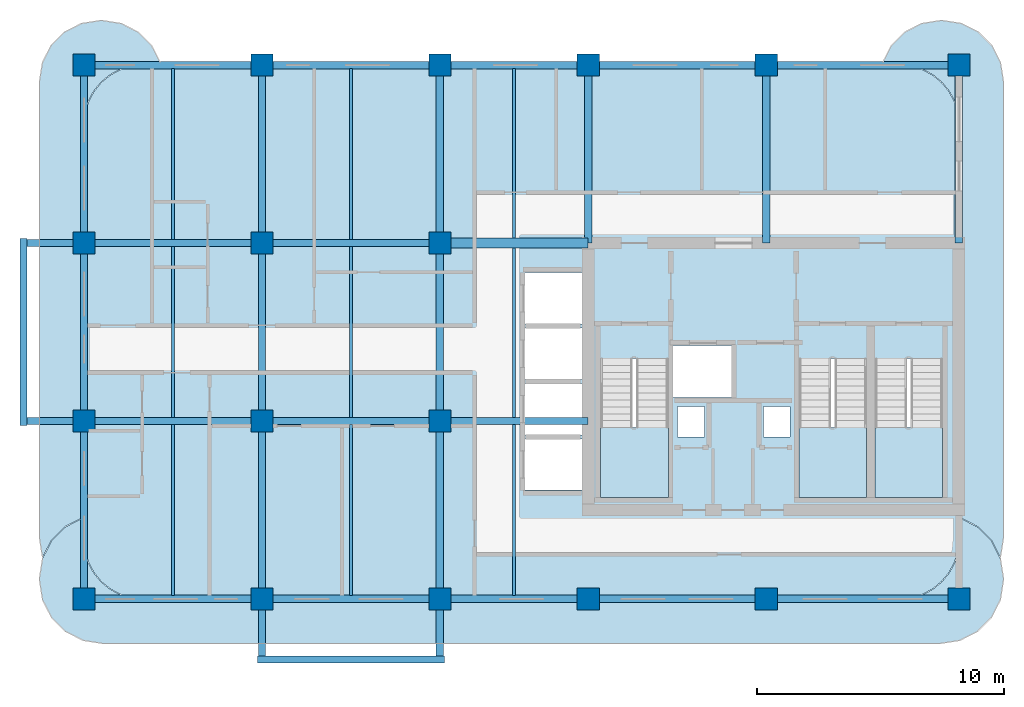
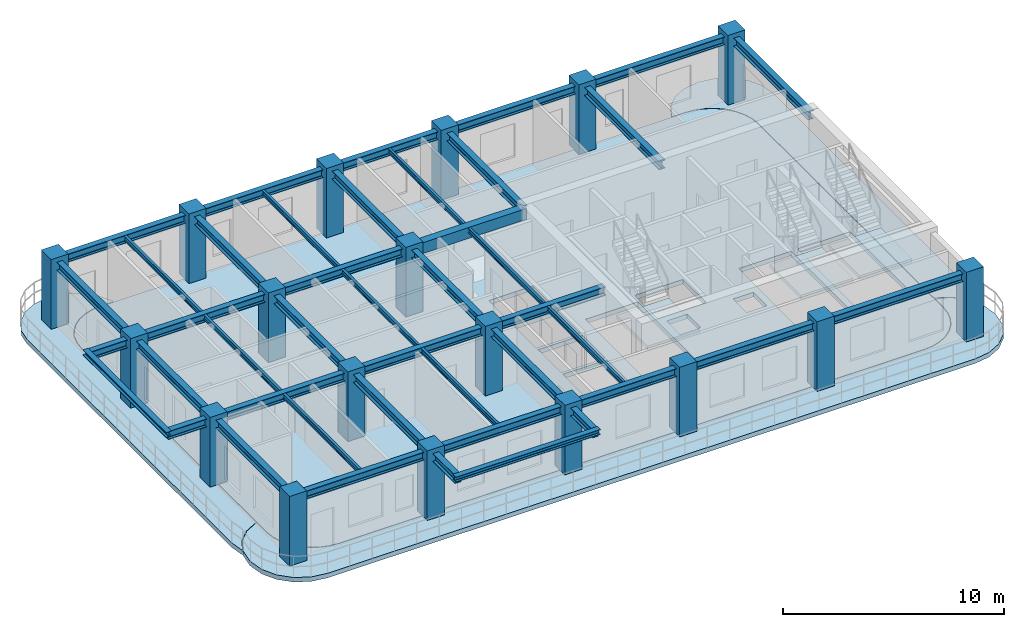
# One storey, part 1 of 7: 39 beams, 18 columns, 7 slabs, 3 elements without a shape of their own.
"""IFC4 building model written with IfcOpenShell, lengths in metres."""

from ifc_helpers import new_model, si_unit, derived_unit, direction, frame, origin, origin_2d, place, context, subcontext, project, spatial, polyline, rectangle, i_section, outline, extrude, source, transform, mapped, material, layer, layer_set, material_profile, profile_set, type_object, type_shapes, element, aggregate, save


model = new_model("IFC4")

# Units and contexts
model_context = context("Model", 3, precision=1e-05, world=origin(), true_north=direction((0.0, 1.0)))
body_context = subcontext(model_context, "Body", "Model", "MODEL_VIEW")
ifc_project = project(units=[si_unit("LENGTHUNIT", "METRE"), si_unit("AREAUNIT", "SQUARE_METRE"), si_unit("VOLUMEUNIT", "CUBIC_METRE"), si_unit("PLANEANGLEUNIT", "RADIAN"), si_unit("MASSUNIT", "GRAM", prefix="KILO"), si_unit("THERMODYNAMICTEMPERATUREUNIT", "KELVIN"), si_unit("POWERUNIT", "WATT"), derived_unit("THERMALTRANSMITTANCEUNIT", [(si_unit("POWERUNIT", "WATT"), 1), (si_unit("AREAUNIT", "SQUARE_METRE"), -1), (si_unit("THERMODYNAMICTEMPERATUREUNIT", "KELVIN"), -1)])], contexts=[model_context])

# Site, building, storey
site_placement = place(None, origin())
site = spatial("IfcSite", under=ifc_project, at=site_placement, CompositionType="ELEMENT")
building_placement = place(site_placement, origin())
building = spatial("IfcBuilding", under=site, at=building_placement, Name="Zahravan Archway Hotel and Residences", CompositionType="ELEMENT")
storey_placement = place(building_placement, frame((0.0, 0.0, 221.14990234375)))
storey = spatial("IfcBuildingStorey", under=building, at=storey_placement, Name="L55", CompositionType="ELEMENT", Elevation=221.14990234375)

# Columns
ifc_material_1 = material(Name="Concrete C60/75", Category="concrete")
ifc_material_profile_1 = material_profile(ifc_material_1, rectangle(XDim=0.89990234375, YDim=0.89990234375, at=origin_2d()), Name="RC-COL-900x900", Category="concrete")
ifc_profile_set_1 = profile_set([ifc_material_profile_1], Name="Concrete C60/75")
column_type = type_object("IfcColumnType", Name="COL-RC-900", PredefinedType="COLUMN", material=ifc_profile_set_1)
shared_shape_1 = source(origin(), body_context, "Body", "SweptSolid", [
    extrude(rectangle(XDim=0.89990234375, YDim=0.89990234375, at=origin_2d()), origin(), (0.0, 0.0, 1.0), 3.85009765625),
])
type_shapes(column_type, [shared_shape_1])
for number, where, z_axis, x_axis, name in (
    (1, (14.39990234375, 0.0, 0.0), (0.0, 0.0, 1.0), (1.0, 0.0, 0.0), "L55 Column 3-A"),
    (2, (14.39990234375, 7.199951171875, 0.0), (0.0, 0.0, 1.0), (1.0, 0.0, 0.0), "L55 Column 3-B"),
    (3, (14.39990234375, 14.39990234375, 0.0), (0.0, 0.0, 1.0), (1.0, 0.0, 0.0), "L55 Column 3-C"),
    (4, (14.39990234375, 21.60009765625, 0.0), (0.0, 0.0, 1.0), (1.0, 0.0, 0.0), "L55 Column 3-D"),
    (5, (21.60009765625, 0.0, 0.0), (0.0, 0.0, 1.0), (1.0, 0.0, 0.0), "L55 Column 4-A"),
    (6, (21.60009765625, 7.199951171875, 0.0), (0.0, 0.0, 1.0), (1.0, 0.0, 0.0), "L55 Column 4-B"),
    (7, (21.60009765625, 14.39990234375, 0.0), (0.0, 0.0, 1.0), (1.0, 0.0, 0.0), "L55 Column 4-C"),
    (8, (21.60009765625, 21.60009765625, 0.0), (0.0, 0.0, 1.0), (1.0, 0.0, 0.0), "L55 Column 4-D"),
    (9, (28.800048828125, 0.0, 0.0), (0.0, 0.0, 1.0), (1.0, 0.0, 0.0), "L55 Column 5-A"),
    (10, (28.800048828125, 7.199951171875, 0.0), (0.0, 0.0, 1.0), (1.0, 0.0, 0.0), "L55 Column 5-B"),
    (11, (28.800048828125, 14.39990234375, 0.0), (0.0, 0.0, 1.0), (1.0, 0.0, 0.0), "L55 Column 5-C"),
    (12, (28.800048828125, 21.60009765625, 0.0), (0.0, 0.0, 1.0), (1.0, 0.0, 0.0), "L55 Column 5-D"),
    (13, (34.800048828125, 0.0, 0.0), (0.0, 0.0, 1.0), (1.0, 0.0, 0.0), "L55 Column 6-A"),
    (14, (34.800048828125, 21.60009765625, 0.0), (0.0, 0.0, 1.0), (1.0, 0.0, 0.0), "L55 Column 6-D"),
    (15, (42.0, 0.0, 0.0), (0.0, 0.0, 1.0), (1.0, 0.0, 0.0), "L55 Column 7-A"),
    (16, (42.0, 21.60009765625, 0.0), (0.0, 0.0, 1.0), (1.0, 0.0, 0.0), "L55 Column 7-D"),
    (17, (49.800048828125, 0.0, 0.0), (0.0, 0.0, 1.0), (1.0, 0.0, 0.0), "L55 Column 8-A"),
    (18, (49.800048828125, 21.60009765625, 0.0), (0.0, 0.0, 1.0), (1.0, 0.0, 0.0), "L55 Column 8-D"),
):
    element("IfcColumn", number, at=place(storey_placement, frame(where, z_axis=z_axis, x_axis=x_axis)), inside=storey, type_object=column_type, Name=name, PredefinedType="COLUMN", context=body_context, shape_type="MappedRepresentation", body=[
        mapped(shared_shape_1, transform((0.0, 0.0, 0.0), scale=1.0)),
    ])

# Beams
ifc_material_2 = material(Name="Structural Steel S355JR", Category="steel")
ifc_material_profile_2 = material_profile(ifc_material_2, i_section(OverallWidth=0.280029296875, OverallDepth=0.280029296875, WebThickness=0.010498046875, FlangeThickness=0.01806640625, FilletRadius=0.02392578125, at=origin_2d()), Name="HEB 280", Category="steel")
ifc_profile_set_2 = profile_set([ifc_material_profile_2], Name="Structural Steel S355JR")
beam_type_1 = type_object("IfcBeamType", Name="BM-SPN-HEB280", PredefinedType="SPANDREL", material=ifc_profile_set_2)
shared_shape_2 = source(origin(), body_context, "Body", "SweptSolid", [
    extrude(i_section(OverallWidth=0.280029296875, OverallDepth=0.280029296875, WebThickness=0.010498046875, FlangeThickness=0.01806640625, FilletRadius=0.02392578125, at=origin_2d()), origin(), (0.0, 0.0, 1.0), 7.56005859375),
])
type_shapes(beam_type_1, [shared_shape_2])
for number, where, z_axis, x_axis, name in (
    (19, (11.949951171875, 7.02001953125, 3.460205078125), (0.0, 1.0, 0.0), (-1.0, 0.0, 0.0), "L56 WA Balcony Edge Spandrel"),
    (20, (21.419921875, -2.449951171875, 3.460205078125), (1.0, 0.0, 0.0), (0.0, 1.0, 0.0), "L56 SA Balcony Edge Spandrel"),
):
    element("IfcBeam", number, at=place(storey_placement, frame(where, z_axis=z_axis, x_axis=x_axis)), inside=storey, type_object=beam_type_1, Name=name, PredefinedType="SPANDREL", context=body_context, shape_type="MappedRepresentation", body=[
        mapped(shared_shape_2, transform((0.0, 0.0, 0.0), scale=1.0)),
    ])
ifc_material_profile_3 = material_profile(ifc_material_1, rectangle(XDim=0.39990234375, YDim=0.60009765625, at=origin_2d()), Name="RC-LNT-400x600", Category="concrete")
ifc_profile_set_3 = profile_set([ifc_material_profile_3], Name="Concrete C60/75")
beam_type_2 = type_object("IfcBeamType", Name="LNT-RC-400x600", PredefinedType="LINTEL", material=ifc_profile_set_3)
shared_shape_3 = source(origin(), body_context, "Body", "SweptSolid", [
    extrude(rectangle(XDim=0.39990234375, YDim=0.60009765625, at=origin_2d()), origin(), (0.0, 0.0, 1.0), 6.0),
])
type_shapes(beam_type_2, [shared_shape_3])
beam_placement = place(storey_placement, frame((28.800048828125, 14.39990234375, 3.300048828125), z_axis=(1.0, 0.0, 0.0), x_axis=(0.0, 1.0, 0.0)))
element("IfcBeam", 21, at=beam_placement, inside=storey, type_object=beam_type_2, Name="L55 Core A Coupling Lintel Beam", PredefinedType="LINTEL", context=body_context, shape_type="MappedRepresentation", body=[
    mapped(shared_shape_3, transform((0.0, 0.0, 0.0), scale=1.0)),
])
ifc_material_profile_4 = material_profile(ifc_material_2, i_section(OverallWidth=0.300048828125, OverallDepth=0.449951171875, WebThickness=0.013916015625, FlangeThickness=0.02587890625, FilletRadius=0.027099609375, at=origin_2d()), Name="HEB 450", Category="steel")
ifc_profile_set_4 = profile_set([ifc_material_profile_4], Name="Structural Steel S355JR")
beam_type_3 = type_object("IfcBeamType", Name="BM-PRI-HEB450", PredefinedType="BEAM", material=ifc_profile_set_4)
shared_shape_4 = source(origin(), body_context, "Body", "SweptSolid", [
    extrude(i_section(OverallWidth=0.300048828125, OverallDepth=0.449951171875, WebThickness=0.013916015625, FlangeThickness=0.02587890625, FilletRadius=0.027099609375, at=origin_2d()), origin(), (0.0, 0.0, 1.0), 7.2001953125),
])
type_shapes(beam_type_3, [shared_shape_4])
for number, where, z_axis, x_axis, name in (
    (22, (14.39990234375, 0.0, 3.375), (1.0, 0.0, 0.0), (0.0, 1.0, 0.0), "L55 Primary Girder EW-01"),
    (23, (14.39990234375, 21.60009765625, 3.375), (1.0, 0.0, 0.0), (0.0, 1.0, 0.0), "L55 Primary Girder EW-11"),
    (24, (14.39990234375, 14.39990234375, 3.375), (0.0, 1.0, 0.0), (-1.0, 0.0, 0.0), "L55 Primary Girder NS-18"),
    (25, (21.60009765625, 14.39990234375, 3.375), (0.0, 1.0, 0.0), (-1.0, 0.0, 0.0), "L55 Primary Girder NS-21"),
    (26, (28.800048828125, 14.39990234375, 3.375), (0.0, 1.0, 0.0), (-1.0, 0.0, 0.0), "L55 Primary Girder NS-24"),
    (27, (34.800048828125, 14.39990234375, 3.375), (0.0, 1.0, 0.0), (-1.0, 0.0, 0.0), "L55 Primary Girder NS-25"),
    (28, (42.0, 14.39990234375, 3.375), (0.0, 1.0, 0.0), (-1.0, 0.0, 0.0), "L55 Primary Girder NS-26"),
    (29, (49.800048828125, 14.39990234375, 3.375), (0.0, 1.0, 0.0), (-1.0, 0.0, 0.0), "L55 Primary Girder NS-27"),
):
    element("IfcBeam", number, at=place(storey_placement, frame(where, z_axis=z_axis, x_axis=x_axis)), inside=storey, type_object=beam_type_3, Name=name, PredefinedType="BEAM", context=body_context, shape_type="MappedRepresentation", body=[
        mapped(shared_shape_4, transform((0.0, 0.0, 0.0), scale=1.0)),
    ])
shared_shape_5 = source(origin(), body_context, "Body", "SweptSolid", [
    extrude(i_section(OverallWidth=0.300048828125, OverallDepth=0.449951171875, WebThickness=0.013916015625, FlangeThickness=0.02587890625, FilletRadius=0.027099609375, at=origin_2d()), origin(), (0.0, 0.0, 1.0), 7.199951171875),
])
for number, where, z_axis, x_axis, name in (
    (30, (21.60009765625, 0.0, 3.375), (1.0, 0.0, 0.0), (0.0, 1.0, 0.0), "L55 Primary Girder EW-02"),
    (31, (34.800048828125, 0.0, 3.375), (1.0, 0.0, 0.0), (0.0, 1.0, 0.0), "L55 Primary Girder EW-04"),
    (32, (21.60009765625, 7.199951171875, 3.375), (1.0, 0.0, 0.0), (0.0, 1.0, 0.0), "L55 Primary Girder EW-07"),
    (33, (21.60009765625, 14.39990234375, 3.375), (1.0, 0.0, 0.0), (0.0, 1.0, 0.0), "L55 Primary Girder EW-10"),
    (34, (21.60009765625, 21.60009765625, 3.375), (1.0, 0.0, 0.0), (0.0, 1.0, 0.0), "L55 Primary Girder EW-12"),
    (35, (34.800048828125, 21.60009765625, 3.375), (1.0, 0.0, 0.0), (0.0, 1.0, 0.0), "L55 Primary Girder EW-14"),
    (36, (14.39990234375, 0.0, 3.375), (0.0, 1.0, 0.0), (-1.0, 0.0, 0.0), "L55 Primary Girder NS-16"),
    (37, (14.39990234375, 7.199951171875, 3.375), (0.0, 1.0, 0.0), (-1.0, 0.0, 0.0), "L55 Primary Girder NS-17"),
    (38, (21.60009765625, 7.199951171875, 3.375), (0.0, 1.0, 0.0), (-1.0, 0.0, 0.0), "L55 Primary Girder NS-20"),
    (39, (28.800048828125, 7.199951171875, 3.375), (0.0, 1.0, 0.0), (-1.0, 0.0, 0.0), "L55 Primary Girder NS-23"),
):
    element("IfcBeam", number, at=place(storey_placement, frame(where, z_axis=z_axis, x_axis=x_axis)), inside=storey, type_object=beam_type_3, Name=name, PredefinedType="BEAM", context=body_context, shape_type="MappedRepresentation", body=[
        mapped(shared_shape_5, transform((0.0, 0.0, 0.0), scale=1.0)),
    ])
shared_shape_6 = source(origin(), body_context, "Body", "SweptSolid", [
    extrude(i_section(OverallWidth=0.300048828125, OverallDepth=0.449951171875, WebThickness=0.013916015625, FlangeThickness=0.02587890625, FilletRadius=0.027099609375, at=origin_2d()), origin(), (0.0, 0.0, 1.0), 6.0),
])
for number, where, z_axis, x_axis, name in (
    (40, (28.800048828125, 0.0, 3.375), (1.0, 0.0, 0.0), (0.0, 1.0, 0.0), "L55 Primary Girder EW-03"),
    (41, (28.800048828125, 7.199951171875, 3.375), (1.0, 0.0, 0.0), (0.0, 1.0, 0.0), "L55 Primary Girder EW-08"),
    (42, (28.800048828125, 21.60009765625, 3.375), (1.0, 0.0, 0.0), (0.0, 1.0, 0.0), "L55 Primary Girder EW-13"),
):
    element("IfcBeam", number, at=place(storey_placement, frame(where, z_axis=z_axis, x_axis=x_axis)), inside=storey, type_object=beam_type_3, Name=name, PredefinedType="BEAM", context=body_context, shape_type="MappedRepresentation", body=[
        mapped(shared_shape_6, transform((0.0, 0.0, 0.0), scale=1.0)),
    ])
shared_shape_7 = source(origin(), body_context, "Body", "SweptSolid", [
    extrude(i_section(OverallWidth=0.300048828125, OverallDepth=0.449951171875, WebThickness=0.013916015625, FlangeThickness=0.02587890625, FilletRadius=0.027099609375, at=origin_2d()), origin(), (0.0, 0.0, 1.0), 7.800048828125),
])
for number, where, z_axis, x_axis, name in (
    (43, (42.0, 0.0, 3.375), (1.0, 0.0, 0.0), (0.0, 1.0, 0.0), "L55 Primary Girder EW-05"),
    (44, (42.0, 21.60009765625, 3.375), (1.0, 0.0, 0.0), (0.0, 1.0, 0.0), "L55 Primary Girder EW-15"),
):
    element("IfcBeam", number, at=place(storey_placement, frame(where, z_axis=z_axis, x_axis=x_axis)), inside=storey, type_object=beam_type_3, Name=name, PredefinedType="BEAM", context=body_context, shape_type="MappedRepresentation", body=[
        mapped(shared_shape_7, transform((0.0, 0.0, 0.0), scale=1.0)),
    ])
shared_shape_8 = source(origin(), body_context, "Body", "SweptSolid", [
    extrude(i_section(OverallWidth=0.300048828125, OverallDepth=0.449951171875, WebThickness=0.013916015625, FlangeThickness=0.02587890625, FilletRadius=0.027099609375, at=origin_2d()), origin(), (0.0, 0.0, 1.0), 9.650146484375),
])
for number, where, z_axis, x_axis, name in (
    (45, (11.949951171875, 7.199951171875, 3.375), (1.0, 0.0, 0.0), (0.0, 1.0, 0.0), "L55 Primary Girder EW-06"),
    (46, (11.949951171875, 14.39990234375, 3.375), (1.0, 0.0, 0.0), (0.0, 1.0, 0.0), "L55 Primary Girder EW-09"),
):
    element("IfcBeam", number, at=place(storey_placement, frame(where, z_axis=z_axis, x_axis=x_axis)), inside=storey, type_object=beam_type_3, Name=name, PredefinedType="BEAM", context=body_context, shape_type="MappedRepresentation", body=[
        mapped(shared_shape_8, transform((0.0, 0.0, 0.0), scale=1.0)),
    ])
shared_shape_9 = source(origin(), body_context, "Body", "SweptSolid", [
    extrude(i_section(OverallWidth=0.300048828125, OverallDepth=0.449951171875, WebThickness=0.013916015625, FlangeThickness=0.02587890625, FilletRadius=0.027099609375, at=origin_2d()), origin(), (0.0, 0.0, 1.0), 9.64990234375),
])
for number, where, z_axis, x_axis, name in (
    (47, (21.60009765625, -2.449951171875, 3.375), (0.0, 1.0, 0.0), (-1.0, 0.0, 0.0), "L55 Primary Girder NS-19"),
    (48, (28.800048828125, -2.449951171875, 3.375), (0.0, 1.0, 0.0), (-1.0, 0.0, 0.0), "L55 Primary Girder NS-22"),
):
    element("IfcBeam", number, at=place(storey_placement, frame(where, z_axis=z_axis, x_axis=x_axis)), inside=storey, type_object=beam_type_3, Name=name, PredefinedType="BEAM", context=body_context, shape_type="MappedRepresentation", body=[
        mapped(shared_shape_9, transform((0.0, 0.0, 0.0), scale=1.0)),
    ])
ifc_material_profile_5 = material_profile(ifc_material_2, i_section(OverallWidth=0.135009765625, OverallDepth=0.27001953125, WebThickness=0.006591796875, FlangeThickness=0.01025390625, FilletRadius=0.014892578125, at=origin_2d()), Name="IPE 270", Category="steel")
ifc_profile_set_5 = profile_set([ifc_material_profile_5], Name="Structural Steel S355JR")
beam_type_4 = type_object("IfcBeamType", Name="BM-JST-IPE270", PredefinedType="JOIST", material=ifc_profile_set_5)
shared_shape_10 = source(origin(), body_context, "Body", "SweptSolid", [
    extrude(i_section(OverallWidth=0.135009765625, OverallDepth=0.27001953125, WebThickness=0.006591796875, FlangeThickness=0.01025390625, FilletRadius=0.014892578125, at=origin_2d()), origin(), (0.0, 0.0, 1.0), 6.904052734375),
])
type_shapes(beam_type_4, [shared_shape_10])
for number, where, z_axis, x_axis, name in (
    (49, (18.0, 0.14794921875, 3.465087890625), (0.0, 1.0, 0.0), (-1.0, 0.0, 0.0), "L55 Composite Floor Joist 01"),
    (50, (25.199951171875, 0.14794921875, 3.465087890625), (0.0, 1.0, 0.0), (-1.0, 0.0, 0.0), "L55 Composite Floor Joist 02"),
    (51, (31.800048828125, 0.14794921875, 3.465087890625), (0.0, 1.0, 0.0), (-1.0, 0.0, 0.0), "L55 Composite Floor Joist 03"),
    (52, (18.0, 7.347900390625, 3.465087890625), (0.0, 1.0, 0.0), (-1.0, 0.0, 0.0), "L55 Composite Floor Joist 04"),
    (53, (25.199951171875, 7.347900390625, 3.465087890625), (0.0, 1.0, 0.0), (-1.0, 0.0, 0.0), "L55 Composite Floor Joist 05"),
):
    element("IfcBeam", number, at=place(storey_placement, frame(where, z_axis=z_axis, x_axis=x_axis)), inside=storey, type_object=beam_type_4, Name=name, PredefinedType="JOIST", context=body_context, shape_type="MappedRepresentation", body=[
        mapped(shared_shape_10, transform((0.0, 0.0, 0.0), scale=1.0)),
    ])
shared_shape_11 = source(origin(), body_context, "Body", "SweptSolid", [
    extrude(i_section(OverallWidth=0.135009765625, OverallDepth=0.27001953125, WebThickness=0.006591796875, FlangeThickness=0.01025390625, FilletRadius=0.014892578125, at=origin_2d()), origin(), (0.0, 0.0, 1.0), 6.85400390625),
])
for number, where, z_axis, x_axis, name in (
    (54, (31.800048828125, 7.347900390625, 3.465087890625), (0.0, 1.0, 0.0), (-1.0, 0.0, 0.0), "L55 Composite Floor Joist 06"),
    (55, (31.800048828125, 14.597900390625, 3.465087890625), (0.0, 1.0, 0.0), (-1.0, 0.0, 0.0), "L55 Composite Floor Joist 07"),
):
    element("IfcBeam", number, at=place(storey_placement, frame(where, z_axis=z_axis, x_axis=x_axis)), inside=storey, type_object=beam_type_4, Name=name, PredefinedType="JOIST", context=body_context, shape_type="MappedRepresentation", body=[
        mapped(shared_shape_11, transform((0.0, 0.0, 0.0), scale=1.0)),
    ])
shared_shape_12 = source(origin(), body_context, "Body", "SweptSolid", [
    extrude(i_section(OverallWidth=0.135009765625, OverallDepth=0.27001953125, WebThickness=0.006591796875, FlangeThickness=0.01025390625, FilletRadius=0.014892578125, at=origin_2d()), origin(), (0.0, 0.0, 1.0), 6.90380859375),
])
for number, where, z_axis, x_axis, name in (
    (56, (18.0, 14.548095703125, 3.465087890625), (0.0, 1.0, 0.0), (-1.0, 0.0, 0.0), "L55 Composite Floor Joist 08"),
    (57, (25.199951171875, 14.548095703125, 3.465087890625), (0.0, 1.0, 0.0), (-1.0, 0.0, 0.0), "L55 Composite Floor Joist 09"),
):
    element("IfcBeam", number, at=place(storey_placement, frame(where, z_axis=z_axis, x_axis=x_axis)), inside=storey, type_object=beam_type_4, Name=name, PredefinedType="JOIST", context=body_context, shape_type="MappedRepresentation", body=[
        mapped(shared_shape_12, transform((0.0, 0.0, 0.0), scale=1.0)),
    ])

# Slabs
ifc_material_3 = material(Name="Concrete C45/55", Category="concrete")
ifc_layer_1 = layer(ifc_material_3, 0.25, Name="Concrete C45/55", Category="concrete")
ifc_layer_set_1 = layer_set([ifc_layer_1], Name="Concrete C45/55")
slab_type_1 = type_object("IfcSlabType", Name="SLB-BALC-250", PredefinedType="FLOOR", material=ifc_layer_set_1)
slab_1_placement = place(storey_placement, frame((0.0, 0.0, -0.25)))
element("IfcSlab", 58, at=slab_1_placement, inside=storey, type_object=slab_type_1, Name="L55 Wing A South Rounded Balcony Band", PredefinedType="FLOOR", context=body_context, shape_type="SweptSolid", body=[
    extrude(outline(polyline([(49.837890625, 3.275146484375), (50.548828125, 2.9130859375), (51.113037109375, 2.348876953125), (51.47509765625, 1.637939453125), (51.60009765625, 0.85009765625), (51.60009765625, 0.75), (51.47509765625, -0.0380859375), (51.113037109375, -0.748779296875), (50.548828125, -1.31298828125), (49.837890625, -1.67529296875), (49.050048828125, -1.800048828125), (15.14990234375, -1.800048828125), (14.362060546875, -1.67529296875), (13.651123046875, -1.31298828125), (13.0869140625, -0.748779296875), (12.724853515625, -0.0380859375), (12.60009765625, 0.75), (12.60009765625, 0.85009765625), (12.724853515625, 1.637939453125), (13.0869140625, 2.348876953125), (13.651123046875, 2.9130859375), (14.362060546875, 3.275146484375), (14.3798828125, 3.278076171875), (14.3798828125, 2.39990234375), (14.380126953125, 2.39794921875), (14.42626953125, 1.9296875), (14.426513671875, 1.927978515625), (14.427001953125, 1.926025390625), (14.563720703125, 1.475830078125), (14.564208984375, 1.473876953125), (14.565185546875, 1.47216796875), (14.786865234375, 1.05712890625), (14.787841796875, 1.055419921875), (14.7890625, 1.053955078125), (15.08740234375, 0.690185546875), (15.0888671875, 0.688720703125), (15.090087890625, 0.6875), (15.453857421875, 0.388916015625), (15.45556640625, 0.387939453125), (15.457275390625, 0.386962890625), (15.872314453125, 0.1650390625), (15.873779296875, 0.164306640625), (15.875732421875, 0.16357421875), (16.325927734375, 0.027099609375), (16.327880859375, 0.026611328125), (16.329833984375, 0.026123046875), (16.798095703125, -0.02001953125), (16.800048828125, -0.02001953125), (47.39990234375, -0.02001953125), (47.402099609375, -0.02001953125), (47.8701171875, 0.026123046875), (47.8720703125, 0.026611328125), (47.8740234375, 0.027099609375), (48.32421875, 0.16357421875), (48.326171875, 0.164306640625), (48.327880859375, 0.1650390625), (48.742919921875, 0.386962890625), (48.744384765625, 0.387939453125), (48.74609375, 0.388916015625), (49.10986328125, 0.6875), (49.111083984375, 0.688720703125), (49.112548828125, 0.690185546875), (49.410888671875, 1.053955078125), (49.412109375, 1.055419921875), (49.4130859375, 1.05712890625), (49.635009765625, 1.47216796875), (49.6357421875, 1.473876953125), (49.636474609375, 1.475830078125), (49.77294921875, 1.926025390625), (49.7734375, 1.927978515625), (49.773681640625, 1.9296875), (49.81982421875, 2.39794921875), (49.820068359375, 2.39990234375), (49.820068359375, 3.278076171875), (49.837890625, 3.275146484375)])), origin(), (0.0, 0.0, 1.0), 0.25),
])
slab_2_placement = place(storey_placement, frame((0.0, 0.0, -0.25)))
element("IfcSlab", 59, at=slab_2_placement, inside=storey, type_object=slab_type_1, Name="L55 Wing A East Rounded Balcony Band", PredefinedType="FLOOR", context=body_context, shape_type="SweptSolid", body=[
    extrude(outline(polyline([(46.719970703125, 21.70703125), (47.06787109375, 22.39013671875), (47.60986328125, 22.93212890625), (48.29296875, 23.280029296875), (49.050048828125, 23.39990234375), (49.14990234375, 23.39990234375), (49.906982421875, 23.280029296875), (50.590087890625, 22.93212890625), (51.132080078125, 22.39013671875), (51.47998046875, 21.70703125), (51.60009765625, 20.949951171875), (51.60009765625, 2.449951171875), (51.47998046875, 1.69287109375), (51.474853515625, 1.6826171875), (51.130859375, 2.35791015625), (51.1298828125, 2.35986328125), (51.12841796875, 2.361572265625), (51.127197265625, 2.363037109375), (50.56298828125, 2.927001953125), (50.5615234375, 2.928466796875), (50.559814453125, 2.9296875), (50.55810546875, 2.930908203125), (49.84716796875, 3.29296875), (49.84521484375, 3.2939453125), (49.84326171875, 3.29443359375), (49.841064453125, 3.294921875), (49.822998046875, 3.2978515625), (49.8212890625, 3.298095703125), (49.820068359375, 3.298095703125), (49.820068359375, 19.199951171875), (49.81982421875, 19.201904296875), (49.773681640625, 19.670166015625), (49.7734375, 19.672119140625), (49.77294921875, 19.674072265625), (49.636474609375, 20.124267578125), (49.6357421875, 20.126220703125), (49.635009765625, 20.127685546875), (49.4130859375, 20.542724609375), (49.412109375, 20.54443359375), (49.410888671875, 20.546142578125), (49.112548828125, 20.909912109375), (49.111083984375, 20.9111328125), (49.10986328125, 20.91259765625), (48.74609375, 21.2109375), (48.744384765625, 21.212158203125), (48.742919921875, 21.213134765625), (48.327880859375, 21.434814453125), (48.326171875, 21.435791015625), (48.32421875, 21.436279296875), (47.8740234375, 21.572998046875), (47.8720703125, 21.573486328125), (47.8701171875, 21.57373046875), (47.402099609375, 21.619873046875), (47.39990234375, 21.6201171875), (46.7060546875, 21.6201171875), (46.719970703125, 21.70703125)])), origin(), (0.0, 0.0, 1.0), 0.25),
])
slab_3_placement = place(storey_placement, frame((0.0, 0.0, -0.25)))
element("IfcSlab", 60, at=slab_3_placement, inside=storey, type_object=slab_type_1, Name="L55 Wing A West Rounded Balcony Band", PredefinedType="FLOOR", context=body_context, shape_type="SweptSolid", body=[
    extrude(outline(polyline([(12.719970703125, 1.69287109375), (12.60009765625, 2.449951171875), (12.60009765625, 20.949951171875), (12.719970703125, 21.70703125), (13.06787109375, 22.39013671875), (13.60986328125, 22.93212890625), (14.29296875, 23.280029296875), (15.050048828125, 23.39990234375), (15.14990234375, 23.39990234375), (15.906982421875, 23.280029296875), (16.590087890625, 22.93212890625), (17.132080078125, 22.39013671875), (17.47998046875, 21.70703125), (17.493896484375, 21.6201171875), (16.800048828125, 21.6201171875), (16.798095703125, 21.619873046875), (16.329833984375, 21.57373046875), (16.327880859375, 21.573486328125), (16.325927734375, 21.572998046875), (15.875732421875, 21.436279296875), (15.873779296875, 21.435791015625), (15.872314453125, 21.434814453125), (15.457275390625, 21.213134765625), (15.45556640625, 21.212158203125), (15.453857421875, 21.2109375), (15.090087890625, 20.91259765625), (15.0888671875, 20.9111328125), (15.08740234375, 20.909912109375), (14.7890625, 20.546142578125), (14.787841796875, 20.54443359375), (14.786865234375, 20.542724609375), (14.565185546875, 20.127685546875), (14.564208984375, 20.126220703125), (14.563720703125, 20.124267578125), (14.427001953125, 19.674072265625), (14.426513671875, 19.672119140625), (14.42626953125, 19.670166015625), (14.380126953125, 19.201904296875), (14.3798828125, 19.199951171875), (14.3798828125, 3.298095703125), (14.37890625, 3.298095703125), (14.376953125, 3.2978515625), (14.35888671875, 3.294921875), (14.356689453125, 3.29443359375), (14.354736328125, 3.2939453125), (14.352783203125, 3.29296875), (13.64208984375, 2.930908203125), (13.64013671875, 2.9296875), (13.638427734375, 2.928466796875), (13.636962890625, 2.927001953125), (13.072998046875, 2.363037109375), (13.071533203125, 2.361572265625), (13.0703125, 2.35986328125), (13.069091796875, 2.35791015625), (12.72509765625, 1.6826171875), (12.719970703125, 1.69287109375)])), origin(), (0.0, 0.0, 1.0), 0.25),
])
ifc_layer_2 = layer(ifc_material_3, 0.25, Name="Concrete C45/55", Category="concrete")
ifc_layer_set_2 = layer_set([ifc_layer_2], Name="Concrete C45/55")
slab_type_2 = type_object("IfcSlabType", Name="SLB-FLR-250", PredefinedType="FLOOR", material=ifc_layer_set_2)
slab_4_placement = place(storey_placement, frame((0.0, 0.0, -0.25)))
element("IfcSlab", 61, at=slab_4_placement, inside=storey, type_object=slab_type_2, Name="L55 Floor Slab WA", PredefinedType="FLOOR", context=body_context, shape_type="SweptSolid", body=[
    extrude(outline(polyline([(47.39990234375, 0.0), (47.8681640625, 0.046142578125), (48.318359375, 0.1826171875), (48.7333984375, 0.404541015625), (49.09716796875, 0.702880859375), (49.3955078125, 1.066650390625), (49.6171875, 1.481689453125), (49.75390625, 1.931884765625), (49.800048828125, 2.39990234375), (49.800048828125, 19.199951171875), (49.75390625, 19.668212890625), (49.6171875, 20.118408203125), (49.3955078125, 20.533447265625), (49.09716796875, 20.897216796875), (48.7333984375, 21.195556640625), (48.318359375, 21.417236328125), (47.8681640625, 21.553955078125), (47.39990234375, 21.60009765625), (16.800048828125, 21.60009765625), (16.331787109375, 21.553955078125), (15.881591796875, 21.417236328125), (15.466552734375, 21.195556640625), (15.102783203125, 20.897216796875), (14.804443359375, 20.533447265625), (14.582763671875, 20.118408203125), (14.446044921875, 19.668212890625), (14.39990234375, 19.199951171875), (14.39990234375, 2.39990234375), (14.446044921875, 1.931884765625), (14.582763671875, 1.481689453125), (14.804443359375, 1.066650390625), (15.102783203125, 0.702880859375), (15.466552734375, 0.404541015625), (15.881591796875, 0.1826171875), (16.331787109375, 0.046142578125), (16.800048828125, 0.0), (47.39990234375, 0.0)]), holes=[polyline([(35.300048828125, 9.72998046875), (35.300048828125, 4.10009765625), (38.0400390625, 4.10009765625), (38.0400390625, 9.72998046875), (35.300048828125, 9.72998046875)]), polyline([(43.320068359375, 9.72998046875), (43.320068359375, 4.10009765625), (46.06005859375, 4.10009765625), (46.06005859375, 9.72998046875), (43.320068359375, 9.72998046875)]), polyline([(46.39990234375, 9.72998046875), (46.39990234375, 4.10009765625), (49.139892578125, 4.10009765625), (49.139892578125, 9.72998046875), (46.39990234375, 9.72998046875)]), polyline([(38.179931640625, 8.14990234375), (40.699951171875, 8.14990234375), (40.699951171875, 10.25), (38.179931640625, 10.25), (38.179931640625, 8.14990234375)]), polyline([(32.25, 4.39990234375), (34.550048828125, 4.39990234375), (34.550048828125, 6.47998046875), (32.25, 6.47998046875), (32.25, 4.39990234375)]), polyline([(32.25, 6.639892578125), (34.550048828125, 6.639892578125), (34.550048828125, 8.719970703125), (32.25, 8.719970703125), (32.25, 6.639892578125)]), polyline([(32.25, 8.8798828125), (34.550048828125, 8.8798828125), (34.550048828125, 10.9599609375), (32.25, 10.9599609375), (32.25, 8.8798828125)]), polyline([(32.25, 11.1201171875), (34.550048828125, 11.1201171875), (34.550048828125, 13.199951171875), (32.25, 13.199951171875), (32.25, 11.1201171875)]), polyline([(38.419921875, 6.56005859375), (39.5, 6.56005859375), (39.5, 7.780029296875), (38.419921875, 7.780029296875), (38.419921875, 6.56005859375)]), polyline([(41.89990234375, 6.56005859375), (42.9599609375, 6.56005859375), (42.9599609375, 7.780029296875), (41.89990234375, 7.780029296875), (41.89990234375, 6.56005859375)])]), origin(), (0.0, 0.0, 1.0), 0.25),
])

# Stair, slab
ifc_material_4 = material(Name="Concrete C50/60", Category="concrete")
stair_type = type_object("IfcStairType", Name="STR-CORE-1300", PredefinedType="HALF_TURN_STAIR", material=ifc_material_4)
stair_1_placement = place(storey_placement, origin())
stair_1 = element("IfcStair", 62, at=stair_1_placement, inside=storey, type_object=stair_type, Name="L55 Core A Exit Stair 1", PredefinedType="HALF_TURN_STAIR")
ifc_layer_3 = layer(ifc_material_4, 0.199951171875, Name="Concrete C50/60", Category="concrete")
ifc_layer_set_3 = layer_set([ifc_layer_3], Name="Concrete C50/60")
slab_type_3 = type_object("IfcSlabType", Name="SLB-LND-200", PredefinedType="LANDING", material=ifc_layer_set_3)
slab_5_placement = place(storey_placement, frame((0.0, 0.0, 1.72509765625)))
slab_5 = element("IfcSlab", 63, at=slab_5_placement, type_object=slab_type_3, Name="ST-A1 landing 1", PredefinedType="LANDING", context=body_context, shape_type="SweptSolid", body=[
    extrude(outline(polyline([(35.300048828125, 6.929931640625), (35.300048828125, 4.10009765625), (38.0400390625, 4.10009765625), (38.0400390625, 6.929931640625), (35.300048828125, 6.929931640625)])), origin(), (0.0, 0.0, 1.0), 0.199951171875),
])
aggregate(stair_1, [slab_5])

stair_2_placement = place(storey_placement, origin())
stair_2 = element("IfcStair", 64, at=stair_2_placement, inside=storey, type_object=stair_type, Name="L55 Core A Exit Stair 2", PredefinedType="HALF_TURN_STAIR")
slab_6_placement = place(storey_placement, frame((0.0, 0.0, 1.72509765625)))
slab_6 = element("IfcSlab", 65, at=slab_6_placement, type_object=slab_type_3, Name="ST-A2 landing 1", PredefinedType="LANDING", context=body_context, shape_type="SweptSolid", body=[
    extrude(outline(polyline([(43.320068359375, 6.929931640625), (43.320068359375, 4.10009765625), (46.06005859375, 4.10009765625), (46.06005859375, 6.929931640625), (43.320068359375, 6.929931640625)])), origin(), (0.0, 0.0, 1.0), 0.199951171875),
])
aggregate(stair_2, [slab_6])

stair_3_placement = place(storey_placement, origin())
stair_3 = element("IfcStair", 66, at=stair_3_placement, inside=storey, type_object=stair_type, Name="L55 Core A Exit Stair 3", PredefinedType="HALF_TURN_STAIR")
slab_7_placement = place(storey_placement, frame((0.0, 0.0, 1.72509765625)))
slab_7 = element("IfcSlab", 67, at=slab_7_placement, type_object=slab_type_3, Name="ST-A3 landing 1", PredefinedType="LANDING", context=body_context, shape_type="SweptSolid", body=[
    extrude(outline(polyline([(46.39990234375, 6.929931640625), (46.39990234375, 4.10009765625), (49.139892578125, 4.10009765625), (49.139892578125, 6.929931640625), (46.39990234375, 6.929931640625)])), origin(), (0.0, 0.0, 1.0), 0.199951171875),
])
aggregate(stair_3, [slab_7])

save(model, "model.ifc")
